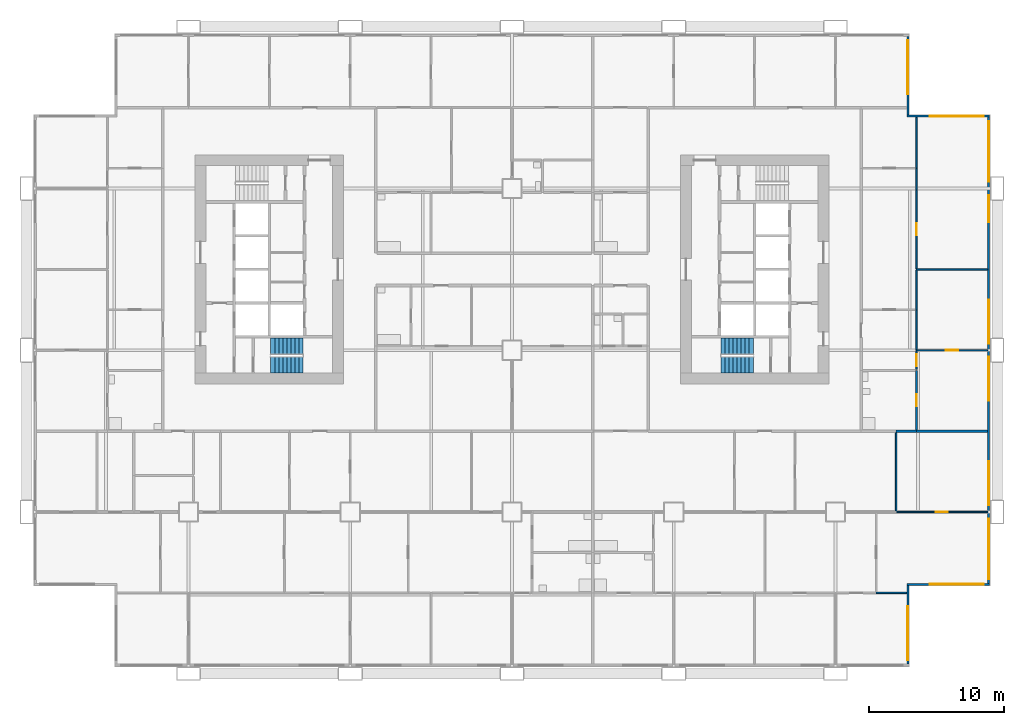
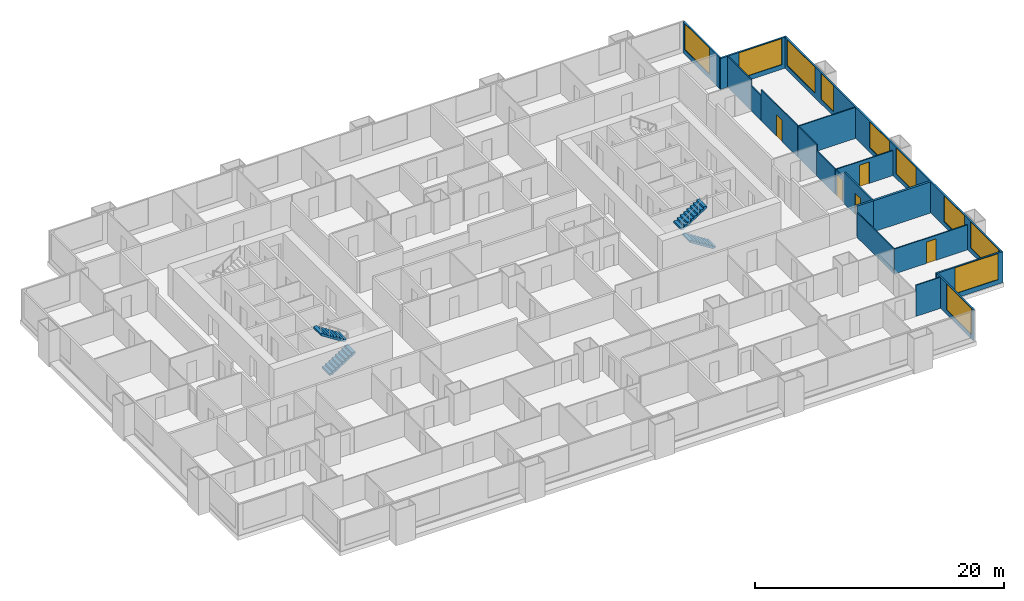
# One storey, part 10 of 13: 19 walls, 10 windows, 5 doors, 4 stair flights, 15 openings, 2 elements without a shape of their own.
"""IFC4 building model written with IfcOpenShell, lengths in metres."""

from ifc_helpers import new_model, si_unit, direction, frame, frame_2d, origin, place, context, subcontext, project, spatial, polyline, rectangle, outline, extrude, material, layer, layer_set, type_object, element, fill, aggregate, save


model = new_model("IFC4")

# Units and contexts
model_context = context("Model", 3, precision=1e-05, world=origin(), true_north=direction((0.0, 1.0)))
body_context = subcontext(model_context, "Body", "Model", "MODEL_VIEW")
ifc_project = project(units=[si_unit("LENGTHUNIT", "METRE"), si_unit("AREAUNIT", "SQUARE_METRE"), si_unit("VOLUMEUNIT", "CUBIC_METRE"), si_unit("PLANEANGLEUNIT", "RADIAN"), si_unit("MASSUNIT", "GRAM", prefix="KILO")], contexts=[model_context])

# Site, building, storey
site_placement = place(None, origin())
site = spatial("IfcSite", under=ifc_project, at=site_placement, CompositionType="ELEMENT")
building_placement = place(site_placement, origin())
building = spatial("IfcBuilding", under=site, at=building_placement, Name="Kitamizu Gate Tower and Museum", CompositionType="ELEMENT")
storey_placement = place(building_placement, frame((0.0, 0.0, 57.60009765625)))
storey = spatial("IfcBuildingStorey", under=building, at=storey_placement, Name="L13", CompositionType="ELEMENT", Elevation=57.60009765625)

# Wall
ifc_material_1 = material(Name="Gypsum board on galvanised stud")
ifc_layer_1 = layer(ifc_material_1, 0.10009765625)
ifc_layer_set_1 = layer_set([ifc_layer_1], Name="Gypsum board on galvanised stud")
wall_type_1 = type_object("IfcWallType", Name="Partition 100 NOT RATED", PredefinedType="PARTITIONING", material=ifc_layer_set_1)
wall_1_placement = place(storey_placement, frame((65.280029296875, 6.0, 0.0), z_axis=(0.0, 0.0, 1.0), x_axis=(-1.0, 0.0, 0.0)))
element("IfcWall", 1, at=wall_1_placement, inside=storey, type_object=wall_type_1, Name="Partition L13-085", PredefinedType="PARTITIONING", context=body_context, shape_type="SweptSolid", body=[
    extrude(rectangle(XDim=2.260009765625, YDim=0.10009765625, at=frame_2d((1.1298828125, 0.0))), origin(), (0.0, 0.0, 1.0), 3.0498046875),
])

# Wall, opening, door
wall_2_placement = place(storey_placement, frame((71.280029296875, 12.0, 0.0), z_axis=(0.0, 0.0, 1.0), x_axis=(-1.0, 0.0, 0.0)))
wall_2 = element("IfcWall", 2, at=wall_2_placement, inside=storey, type_object=wall_type_1, Name="Partition L13-099", PredefinedType="PARTITIONING", context=body_context, shape_type="SweptSolid", body=[
    extrude(rectangle(XDim=6.780029296875, YDim=0.10009765625, at=frame_2d((3.39013671875, 0.0))), origin(), (0.0, 0.0, 1.0), 2.449951171875),
])
opening_1_placement = place(wall_2_placement, frame((2.93994140625, 0.0, 0.0)))
opening_1 = element("IfcOpeningElement", 3, at=opening_1_placement, cuts=wall_2, Name="Opening L13-038", PredefinedType="OPENING", context=body_context, shape_type="SweptSolid", body=[
    extrude(rectangle(XDim=0.89990234375, YDim=2.10009765625, at=frame_2d((0.449951171875, 1.050048828125))), frame((0.0, 0.06005859375, 0.0), z_axis=(0.0, -1.0, 0.0), x_axis=(1.0, 0.0, 0.0)), (0.0, 0.0, 1.0), 0.1201171875),
])
ifc_material_2 = material(Name="Timber door set", Category="wood")
door_type_1 = type_object("IfcDoorType", Name="Room door 900", OperationType="NOTDEFINED", PredefinedType="DOOR", material=ifc_material_2)
door_1_placement = place(opening_1_placement, frame((0.89990234375, 0.0, 0.0), x_axis=(-1.0, 0.0, 0.0)))
door_1 = element("IfcDoor", 4, at=door_1_placement, inside=storey, type_object=door_type_1, Name="Door L13-038", OperationType="SINGLE_SWING_RIGHT", OverallHeight=2.10009765625, OverallWidth=0.89990234375, PredefinedType="DOOR", context=body_context, shape_type="SweptSolid", body=[
    extrude(rectangle(XDim=0.89990234375, YDim=2.10009765625, at=frame_2d((0.449951171875, 1.050048828125))), frame((0.0, 0.02490234375, 0.0), z_axis=(0.0, -1.0, 0.0), x_axis=(1.0, 0.0, 0.0)), (0.0, 0.0, 1.0), 0.050048828125),
])
fill(opening_1, door_1)

# Wall
wall_3_placement = place(storey_placement, frame((64.5, 12.050048828125, 0.0), z_axis=(0.0, 0.0, 1.0), x_axis=(0.0, 1.0, 0.0)))
element("IfcWall", 5, at=wall_3_placement, inside=storey, type_object=wall_type_1, Name="Partition L13-105", PredefinedType="PARTITIONING", context=body_context, shape_type="SweptSolid", body=[
    extrude(rectangle(XDim=5.849853515625, YDim=0.10009765625, at=frame_2d((2.9248046875, 0.0))), origin(), (0.0, 0.0, 1.0), 2.449951171875),
])

# Wall, opening, door
wall_4_placement = place(storey_placement, frame((71.280029296875, 24.0, 0.0), z_axis=(0.0, 0.0, 1.0), x_axis=(-1.0, 0.0, 0.0)))
wall_4 = element("IfcWall", 6, at=wall_4_placement, inside=storey, type_object=wall_type_1, Name="Partition L13-189", PredefinedType="PARTITIONING", context=body_context, shape_type="SweptSolid", body=[
    extrude(rectangle(XDim=5.280029296875, YDim=0.10009765625, at=frame_2d((2.64013671875, 0.0))), origin(), (0.0, 0.0, 1.0), 2.449951171875),
])
opening_2_placement = place(wall_4_placement, frame((2.18994140625, 0.0, 0.0)))
opening_2 = element("IfcOpeningElement", 7, at=opening_2_placement, cuts=wall_4, Name="Opening L13-074", PredefinedType="OPENING", context=body_context, shape_type="SweptSolid", body=[
    extrude(rectangle(XDim=0.89990234375, YDim=2.10009765625, at=frame_2d((0.449951171875, 1.050048828125))), frame((0.0, 0.06005859375, 0.0), z_axis=(0.0, -1.0, 0.0), x_axis=(1.0, 0.0, 0.0)), (0.0, 0.0, 1.0), 0.1201171875),
])
door_2_placement = place(opening_2_placement, origin())
door_2 = element("IfcDoor", 8, at=door_2_placement, inside=storey, type_object=door_type_1, Name="Door L13-074", OperationType="SINGLE_SWING_RIGHT", OverallHeight=2.10009765625, OverallWidth=0.89990234375, PredefinedType="DOOR", context=body_context, shape_type="SweptSolid", body=[
    extrude(rectangle(XDim=0.89990234375, YDim=2.10009765625, at=frame_2d((0.449951171875, 1.050048828125))), frame((0.0, 0.02490234375, 0.0), z_axis=(0.0, -1.0, 0.0), x_axis=(1.0, 0.0, 0.0)), (0.0, 0.0, 1.0), 0.050048828125),
])
fill(opening_2, door_2)

wall_5_placement = place(storey_placement, frame((66.0, 23.949951171875, 0.0), z_axis=(0.0, 0.0, 1.0), x_axis=(0.0, -1.0, 0.0)))
wall_5 = element("IfcWall", 9, at=wall_5_placement, inside=storey, type_object=wall_type_1, Name="Partition L13-191", PredefinedType="PARTITIONING", context=body_context, shape_type="SweptSolid", body=[
    extrude(rectangle(XDim=1.375, YDim=0.10009765625, at=frame_2d((0.6875, 0.0))), origin(), (0.0, 0.0, 1.0), 2.449951171875),
])
opening_3_placement = place(wall_5_placement, frame((0.237548828125, 0.0, 0.0)))
opening_3 = element("IfcOpeningElement", 10, at=opening_3_placement, cuts=wall_5, Name="Opening L13-070", PredefinedType="OPENING", context=body_context, shape_type="SweptSolid", body=[
    extrude(rectangle(XDim=0.89990234375, YDim=2.10009765625, at=frame_2d((0.449951171875, 1.050048828125))), frame((0.0, 0.06005859375, 0.0), z_axis=(0.0, -1.0, 0.0), x_axis=(1.0, 0.0, 0.0)), (0.0, 0.0, 1.0), 0.1201171875),
])
door_3_placement = place(opening_3_placement, origin())
door_3 = element("IfcDoor", 11, at=door_3_placement, inside=storey, type_object=door_type_1, Name="Door L13-070", OperationType="SINGLE_SWING_RIGHT", OverallHeight=2.10009765625, OverallWidth=0.89990234375, PredefinedType="DOOR", context=body_context, shape_type="SweptSolid", body=[
    extrude(rectangle(XDim=0.89990234375, YDim=2.10009765625, at=frame_2d((0.449951171875, 1.050048828125))), frame((0.0, 0.02490234375, 0.0), z_axis=(0.0, -1.0, 0.0), x_axis=(1.0, 0.0, 0.0)), (0.0, 0.0, 1.0), 0.050048828125),
])
fill(opening_3, door_3)

# Walls
wall_6_placement = place(storey_placement, frame((71.280029296875, 30.0, 0.0), z_axis=(0.0, 0.0, 1.0), x_axis=(-1.0, 0.0, 0.0)))
element("IfcWall", 12, at=wall_6_placement, inside=storey, type_object=wall_type_1, Name="Partition L13-192", PredefinedType="PARTITIONING", context=body_context, shape_type="SweptSolid", body=[
    extrude(rectangle(XDim=5.280029296875, YDim=0.10009765625, at=frame_2d((2.64013671875, 0.0))), origin(), (0.0, 0.0, 1.0), 3.0498046875),
])
wall_7_placement = place(storey_placement, frame((66.0, 27.0, 0.0), z_axis=(0.0, 0.0, 1.0), x_axis=(0.0, -1.0, 0.0)))
element("IfcWall", 13, at=wall_7_placement, inside=storey, type_object=wall_type_1, Name="Partition L13-193", PredefinedType="PARTITIONING", context=body_context, shape_type="SweptSolid", body=[
    extrude(rectangle(XDim=2.949951171875, YDim=0.10009765625, at=frame_2d((1.47509765625, 0.0))), origin(), (0.0, 0.0, 1.0), 2.449951171875),
])
wall_8_placement = place(storey_placement, frame((66.0, 29.949951171875, 0.0), z_axis=(0.0, 0.0, 1.0), x_axis=(0.0, -1.0, 0.0)))
element("IfcWall", 14, at=wall_8_placement, inside=storey, type_object=wall_type_1, Name="Partition L13-194", PredefinedType="PARTITIONING", context=body_context, shape_type="SweptSolid", body=[
    extrude(rectangle(XDim=2.949951171875, YDim=0.10009765625, at=frame_2d((1.47509765625, 0.0))), origin(), (0.0, 0.0, 1.0), 3.0498046875),
])
wall_9_placement = place(storey_placement, frame((66.0, 37.5, 0.0), z_axis=(0.0, 0.0, 1.0), x_axis=(0.0, -1.0, 0.0)))
element("IfcWall", 15, at=wall_9_placement, inside=storey, type_object=wall_type_1, Name="Partition L13-195", PredefinedType="PARTITIONING", context=body_context, shape_type="SweptSolid", body=[
    extrude(rectangle(XDim=1.60009765625, YDim=0.10009765625, at=frame_2d((0.800048828125, 0.0))), origin(), (0.0, 0.0, 1.0), 2.449951171875),
])

# Wall, opening, door
wall_10_placement = place(storey_placement, frame((66.0, 35.89990234375, 0.0), z_axis=(0.0, 0.0, 1.0), x_axis=(0.0, -1.0, 0.0)))
wall_10 = element("IfcWall", 16, at=wall_10_placement, inside=storey, type_object=wall_type_1, Name="Partition L13-196", PredefinedType="PARTITIONING", context=body_context, shape_type="SweptSolid", body=[
    extrude(rectangle(XDim=5.849853515625, YDim=0.10009765625, at=frame_2d((2.9248046875, 0.0))), origin(), (0.0, 0.0, 1.0), 3.0498046875),
])
opening_4_placement = place(wall_10_placement, frame((2.47509765625, 0.0, 0.0)))
opening_4 = element("IfcOpeningElement", 17, at=opening_4_placement, cuts=wall_10, Name="Opening L13-072", PredefinedType="OPENING", context=body_context, shape_type="SweptSolid", body=[
    extrude(rectangle(XDim=0.89990234375, YDim=2.10009765625, at=frame_2d((0.449951171875, 1.050048828125))), frame((0.0, 0.06005859375, 0.0), z_axis=(0.0, -1.0, 0.0), x_axis=(1.0, 0.0, 0.0)), (0.0, 0.0, 1.0), 0.1201171875),
])
door_4_placement = place(opening_4_placement, origin())
door_4 = element("IfcDoor", 18, at=door_4_placement, inside=storey, type_object=door_type_1, Name="Door L13-072", OperationType="SINGLE_SWING_RIGHT", OverallHeight=2.10009765625, OverallWidth=0.89990234375, PredefinedType="DOOR", context=body_context, shape_type="SweptSolid", body=[
    extrude(rectangle(XDim=0.89990234375, YDim=2.10009765625, at=frame_2d((0.449951171875, 1.050048828125))), frame((0.0, 0.02490234375, 0.0), z_axis=(0.0, -1.0, 0.0), x_axis=(1.0, 0.0, 0.0)), (0.0, 0.0, 1.0), 0.050048828125),
])
fill(opening_4, door_4)

# Wall
wall_11_placement = place(storey_placement, frame((66.0, 41.280029296875, 0.0), z_axis=(0.0, 0.0, 1.0), x_axis=(0.0, -1.0, 0.0)))
element("IfcWall", 19, at=wall_11_placement, inside=storey, type_object=wall_type_1, Name="Partition L13-197", PredefinedType="PARTITIONING", context=body_context, shape_type="SweptSolid", body=[
    extrude(rectangle(XDim=3.780029296875, YDim=0.10009765625, at=frame_2d((1.89013671875, 0.0))), origin(), (0.0, 0.0, 1.0), 3.0498046875),
])

# Wall, opening, door
ifc_material_3 = material(Name="Gypsum board on galvanised stud")
ifc_layer_2 = layer(ifc_material_3, 0.14990234375)
ifc_layer_set_2 = layer_set([ifc_layer_2], Name="Gypsum board on galvanised stud")
wall_type_2 = type_object("IfcWallType", Name="Partition 150", PredefinedType="PARTITIONING", material=ifc_layer_set_2)
wall_12_placement = place(storey_placement, frame((66.0, 22.5, 0.0), z_axis=(0.0, 0.0, 1.0), x_axis=(0.0, -1.0, 0.0)))
wall_12 = element("IfcWall", 20, at=wall_12_placement, inside=storey, type_object=wall_type_2, Name="Partition L13-190", PredefinedType="PARTITIONING", context=body_context, shape_type="SweptSolid", body=[
    extrude(rectangle(XDim=4.39990234375, YDim=0.14990234375, at=frame_2d((2.199951171875, 0.0))), origin(), (0.0, 0.0, 1.0), 3.0498046875),
])
opening_5_placement = place(wall_12_placement, frame((1.75, 0.0, 0.0)))
opening_5 = element("IfcOpeningElement", 21, at=opening_5_placement, cuts=wall_12, Name="Opening L13-073", PredefinedType="OPENING", context=body_context, shape_type="SweptSolid", body=[
    extrude(rectangle(XDim=0.89990234375, YDim=2.10009765625, at=frame_2d((0.449951171875, 1.050048828125))), frame((0.0, 0.0849609375, 0.0), z_axis=(0.0, -1.0, 0.0), x_axis=(1.0, 0.0, 0.0)), (0.0, 0.0, 1.0), 0.169921875),
])
ifc_material_4 = material(Name="Timber door set", Category="wood")
door_type_2 = type_object("IfcDoorType", Name="Bathroom door 900", OperationType="NOTDEFINED", PredefinedType="DOOR", material=ifc_material_4)
door_5_placement = place(opening_5_placement, frame((0.89990234375, 0.0, 0.0), x_axis=(-1.0, 0.0, 0.0)))
door_5 = element("IfcDoor", 22, at=door_5_placement, inside=storey, type_object=door_type_2, Name="Bathroom door L13-073", OperationType="SINGLE_SWING_RIGHT", OverallHeight=2.10009765625, OverallWidth=0.89990234375, PredefinedType="DOOR", context=body_context, shape_type="SweptSolid", body=[
    extrude(rectangle(XDim=0.89990234375, YDim=2.10009765625, at=frame_2d((0.449951171875, 1.050048828125))), frame((0.0, 0.02490234375, 0.0), z_axis=(0.0, -1.0, 0.0), x_axis=(1.0, 0.0, 0.0)), (0.0, 0.0, 1.0), 0.050048828125),
])
fill(opening_5, door_5)

# Walls
ifc_material_5 = material(Name="Gypsum board on galvanised stud")
ifc_layer_3 = layer(ifc_material_5, 0.199951171875)
ifc_layer_set_3 = layer_set([ifc_layer_3], Name="Gypsum board on galvanised stud")
wall_type_3 = type_object("IfcWallType", Name="Partition 200", PredefinedType="PARTITIONING", material=ifc_layer_set_3)
wall_13_placement = place(storey_placement, frame((71.280029296875, 18.0, 0.0), z_axis=(0.0, 0.0, 1.0), x_axis=(-1.0, 0.0, 0.0)))
element("IfcWall", 23, at=wall_13_placement, inside=storey, type_object=wall_type_3, Name="Partition L13-108", PredefinedType="PARTITIONING", context=body_context, shape_type="SweptSolid", body=[
    extrude(rectangle(XDim=5.280029296875, YDim=0.199951171875, at=frame_2d((2.64013671875, 0.0))), origin(), (0.0, 0.0, 1.0), 3.0498046875),
])
wall_14_placement = place(storey_placement, frame((66.0, 18.0, 0.0), z_axis=(0.0, 0.0, 1.0), x_axis=(-1.0, 0.0, 0.0)))
element("IfcWall", 24, at=wall_14_placement, inside=storey, type_object=wall_type_3, Name="Partition L13-109", PredefinedType="PARTITIONING", context=body_context, shape_type="SweptSolid", body=[
    extrude(rectangle(XDim=1.5, YDim=0.199951171875, at=frame_2d((0.75, 0.0))), origin(), (0.0, 0.0, 1.0), 3.0498046875),
])

# Wall, opening, window
ifc_material_6 = material(Name="Bronze anodised aluminium frame with insulated spandrel and tinted glass", Category="aluminium")
ifc_layer_4 = layer(ifc_material_6, 0.14990234375)
ifc_layer_set_4 = layer_set([ifc_layer_4], Name="Bronze anodised aluminium frame with insulated spandrel and tinted glass")
wall_type_4 = type_object("IfcWallType", Name="WINDOW WALL 150 BRONZE FRAME EI 30", PredefinedType="ELEMENTEDWALL", material=ifc_layer_set_4)
wall_15_placement = place(storey_placement, frame((65.364990234375, 0.7099609375, 0.0), z_axis=(0.0, 0.0, 1.0), x_axis=(0.0, 1.0, 0.0)))
wall_15 = element("IfcWall", 25, at=wall_15_placement, inside=storey, type_object=wall_type_4, Name="Window wall east L13", PredefinedType="ELEMENTEDWALL", context=body_context, shape_type="SweptSolid", body=[
    extrude(rectangle(XDim=5.85009765625, YDim=0.14990234375, at=frame_2d((2.925048828125, 0.0))), origin(), (0.0, 0.0, 1.0), 3.0498046875),
])
opening_6_placement = place(wall_15_placement, frame((0.2900390625, 0.0, 0.449951171875)))
opening_6 = element("IfcOpeningElement", 26, at=opening_6_placement, cuts=wall_15, Name="Opening W16", PredefinedType="OPENING", context=body_context, shape_type="SweptSolid", body=[
    extrude(rectangle(XDim=4.0, YDim=2.550048828125, at=frame_2d((2.0, 1.27490234375))), frame((0.0, 0.0849609375, 0.0), z_axis=(0.0, -1.0, 0.0), x_axis=(1.0, 0.0, 0.0)), (0.0, 0.0, 1.0), 0.169921875),
])
ifc_material_7 = material(Name="Bronze anodised aluminium frame, tinted triple glazing", Category="aluminium")
window_type_1 = type_object("IfcWindowType", Name="WINDOW 4000 x 2550 SILL 450", PartitioningType="SINGLE_PANEL", PredefinedType="WINDOW", material=ifc_material_7)
window_1_placement = place(opening_6_placement, origin())
window_1 = element("IfcWindow", 27, at=window_1_placement, inside=storey, type_object=window_type_1, Name="Window W16 L13", OverallHeight=2.550048828125, OverallWidth=4.0, PartitioningType="SINGLE_PANEL", PredefinedType="WINDOW", context=body_context, shape_type="SweptSolid", body=[
    extrude(rectangle(XDim=4.0, YDim=2.550048828125, at=frame_2d((2.0, 1.27490234375))), frame((0.0, 0.030029296875, 0.0), z_axis=(0.0, -1.0, 0.0), x_axis=(1.0, 0.0, 0.0)), (0.0, 0.0, 1.0), 0.06005859375),
])
fill(opening_6, window_1)

wall_16_placement = place(storey_placement, frame((65.2900390625, 6.635009765625, 0.0), z_axis=(0.0, 0.0, 1.0), x_axis=(1.0, 0.0, 0.0)))
wall_16 = element("IfcWall", 28, at=wall_16_placement, inside=storey, type_object=wall_type_4, Name="Window wall south L13", PredefinedType="ELEMENTEDWALL", context=body_context, shape_type="SweptSolid", body=[
    extrude(rectangle(XDim=6.14990234375, YDim=0.14990234375, at=frame_2d((3.074951171875, 0.0))), origin(), (0.0, 0.0, 1.0), 3.0498046875),
])
opening_7_placement = place(wall_16_placement, frame((1.7099609375, 0.0, 0.449951171875)))
opening_7 = element("IfcOpeningElement", 29, at=opening_7_placement, cuts=wall_16, Name="Opening W16", PredefinedType="OPENING", context=body_context, shape_type="SweptSolid", body=[
    extrude(rectangle(XDim=4.0, YDim=2.550048828125, at=frame_2d((2.0, 1.27490234375))), frame((0.0, 0.0849609375, 0.0), z_axis=(0.0, -1.0, 0.0), x_axis=(1.0, 0.0, 0.0)), (0.0, 0.0, 1.0), 0.169921875),
])
window_2_placement = place(opening_7_placement, origin())
window_2 = element("IfcWindow", 30, at=window_2_placement, inside=storey, type_object=window_type_1, Name="Window W16 L13", OverallHeight=2.550048828125, OverallWidth=4.0, PartitioningType="SINGLE_PANEL", PredefinedType="WINDOW", context=body_context, shape_type="SweptSolid", body=[
    extrude(rectangle(XDim=4.0, YDim=2.550048828125, at=frame_2d((2.0, 1.27490234375))), frame((0.0, 0.030029296875, 0.0), z_axis=(0.0, -1.0, 0.0), x_axis=(1.0, 0.0, 0.0)), (0.0, 0.0, 1.0), 0.06005859375),
])
fill(opening_7, window_2)

# Wall, openings, windows
wall_17_placement = place(storey_placement, frame((71.364990234375, 6.7099609375, 0.0), z_axis=(0.0, 0.0, 1.0), x_axis=(0.0, 1.0, 0.0)))
wall_17 = element("IfcWall", 31, at=wall_17_placement, inside=storey, type_object=wall_type_4, Name="Window wall east L13", PredefinedType="ELEMENTEDWALL", context=body_context, shape_type="SweptSolid", body=[
    extrude(rectangle(XDim=34.580078125, YDim=0.14990234375, at=frame_2d((17.2900390625, 0.0))), origin(), (0.0, 0.0, 1.0), 3.0498046875),
])
opening_8_placement = place(wall_17_placement, frame((0.2900390625, 0.0, 0.449951171875)))
opening_8 = element("IfcOpeningElement", 32, at=opening_8_placement, cuts=wall_17, Name="Opening W15", PredefinedType="OPENING", context=body_context, shape_type="SweptSolid", body=[
    extrude(rectangle(XDim=4.5, YDim=2.550048828125, at=frame_2d((2.25, 1.27490234375))), frame((0.0, 0.0849609375, 0.0), z_axis=(0.0, -1.0, 0.0), x_axis=(1.0, 0.0, 0.0)), (0.0, 0.0, 1.0), 0.169921875),
])
opening_9_placement = place(wall_17_placement, frame((5.7900390625, 0.0, 0.449951171875)))
opening_9 = element("IfcOpeningElement", 33, at=opening_9_placement, cuts=wall_17, Name="Opening W34", PredefinedType="OPENING", context=body_context, shape_type="SweptSolid", body=[
    extrude(rectangle(XDim=3.25, YDim=2.550048828125, at=frame_2d((1.625, 1.27490234375))), frame((0.0, 0.0849609375, 0.0), z_axis=(0.0, -1.0, 0.0), x_axis=(1.0, 0.0, 0.0)), (0.0, 0.0, 1.0), 0.169921875),
])
opening_10_placement = place(wall_17_placement, frame((13.5400390625, 0.0, 0.449951171875)))
opening_10 = element("IfcOpeningElement", 34, at=opening_10_placement, cuts=wall_17, Name="Opening W34", PredefinedType="OPENING", context=body_context, shape_type="SweptSolid", body=[
    extrude(rectangle(XDim=3.25, YDim=2.550048828125, at=frame_2d((1.625, 1.27490234375))), frame((0.0, 0.0849609375, 0.0), z_axis=(0.0, -1.0, 0.0), x_axis=(1.0, 0.0, 0.0)), (0.0, 0.0, 1.0), 0.169921875),
])
opening_11_placement = place(wall_17_placement, frame((17.7900390625, 0.0, 0.449951171875)))
opening_11 = element("IfcOpeningElement", 35, at=opening_11_placement, cuts=wall_17, Name="Opening W34", PredefinedType="OPENING", context=body_context, shape_type="SweptSolid", body=[
    extrude(rectangle(XDim=3.25, YDim=2.550048828125, at=frame_2d((1.625, 1.27490234375))), frame((0.0, 0.0849609375, 0.0), z_axis=(0.0, -1.0, 0.0), x_axis=(1.0, 0.0, 0.0)), (0.0, 0.0, 1.0), 0.169921875),
])
opening_12_placement = place(wall_17_placement, frame((26.7900390625, 0.0, 0.449951171875)))
opening_12 = element("IfcOpeningElement", 36, at=opening_12_placement, cuts=wall_17, Name="Opening W2", PredefinedType="OPENING", context=body_context, shape_type="SweptSolid", body=[
    extrude(rectangle(XDim=2.0, YDim=2.550048828125, at=frame_2d((1.0, 1.27490234375))), frame((0.0, 0.0849609375, 0.0), z_axis=(0.0, -1.0, 0.0), x_axis=(1.0, 0.0, 0.0)), (0.0, 0.0, 1.0), 0.169921875),
])
opening_13_placement = place(wall_17_placement, frame((29.7900390625, 0.0, 0.449951171875)))
opening_13 = element("IfcOpeningElement", 37, at=opening_13_placement, cuts=wall_17, Name="Opening W15", PredefinedType="OPENING", context=body_context, shape_type="SweptSolid", body=[
    extrude(rectangle(XDim=4.5, YDim=2.550048828125, at=frame_2d((2.25, 1.27490234375))), frame((0.0, 0.0849609375, 0.0), z_axis=(0.0, -1.0, 0.0), x_axis=(1.0, 0.0, 0.0)), (0.0, 0.0, 1.0), 0.169921875),
])
ifc_material_8 = material(Name="Bronze anodised aluminium frame, tinted triple glazing", Category="aluminium")
window_type_2 = type_object("IfcWindowType", Name="WINDOW 2000 x 2550 SILL 450", PartitioningType="SINGLE_PANEL", PredefinedType="WINDOW", material=ifc_material_8)
window_3_placement = place(opening_12_placement, origin())
window_3 = element("IfcWindow", 38, at=window_3_placement, inside=storey, type_object=window_type_2, Name="Window W2 L13", OverallHeight=2.550048828125, OverallWidth=2.0, PartitioningType="SINGLE_PANEL", PredefinedType="WINDOW", context=body_context, shape_type="SweptSolid", body=[
    extrude(rectangle(XDim=2.0, YDim=2.550048828125, at=frame_2d((1.0, 1.27490234375))), frame((0.0, 0.030029296875, 0.0), z_axis=(0.0, -1.0, 0.0), x_axis=(1.0, 0.0, 0.0)), (0.0, 0.0, 1.0), 0.06005859375),
])
fill(opening_12, window_3)
ifc_material_9 = material(Name="Bronze anodised aluminium frame, tinted triple glazing", Category="aluminium")
window_type_3 = type_object("IfcWindowType", Name="WINDOW 3250 x 2550 SILL 450", PartitioningType="SINGLE_PANEL", PredefinedType="WINDOW", material=ifc_material_9)
window_4_placement = place(opening_9_placement, origin())
window_4 = element("IfcWindow", 39, at=window_4_placement, inside=storey, type_object=window_type_3, Name="Window W34 L13", OverallHeight=2.550048828125, OverallWidth=3.25, PartitioningType="SINGLE_PANEL", PredefinedType="WINDOW", context=body_context, shape_type="SweptSolid", body=[
    extrude(rectangle(XDim=3.25, YDim=2.550048828125, at=frame_2d((1.625, 1.27490234375))), frame((0.0, 0.030029296875, 0.0), z_axis=(0.0, -1.0, 0.0), x_axis=(1.0, 0.0, 0.0)), (0.0, 0.0, 1.0), 0.06005859375),
])
fill(opening_9, window_4)
window_5_placement = place(opening_10_placement, origin())
window_5 = element("IfcWindow", 40, at=window_5_placement, inside=storey, type_object=window_type_3, Name="Window W34 L13", OverallHeight=2.550048828125, OverallWidth=3.25, PartitioningType="SINGLE_PANEL", PredefinedType="WINDOW", context=body_context, shape_type="SweptSolid", body=[
    extrude(rectangle(XDim=3.25, YDim=2.550048828125, at=frame_2d((1.625, 1.27490234375))), frame((0.0, 0.030029296875, 0.0), z_axis=(0.0, -1.0, 0.0), x_axis=(1.0, 0.0, 0.0)), (0.0, 0.0, 1.0), 0.06005859375),
])
fill(opening_10, window_5)
window_6_placement = place(opening_11_placement, origin())
window_6 = element("IfcWindow", 41, at=window_6_placement, inside=storey, type_object=window_type_3, Name="Window W34 L13", OverallHeight=2.550048828125, OverallWidth=3.25, PartitioningType="SINGLE_PANEL", PredefinedType="WINDOW", context=body_context, shape_type="SweptSolid", body=[
    extrude(rectangle(XDim=3.25, YDim=2.550048828125, at=frame_2d((1.625, 1.27490234375))), frame((0.0, 0.030029296875, 0.0), z_axis=(0.0, -1.0, 0.0), x_axis=(1.0, 0.0, 0.0)), (0.0, 0.0, 1.0), 0.06005859375),
])
fill(opening_11, window_6)
ifc_material_10 = material(Name="Bronze anodised aluminium frame, tinted triple glazing", Category="aluminium")
window_type_4 = type_object("IfcWindowType", Name="WINDOW 4500 x 2550 SILL 450", PartitioningType="SINGLE_PANEL", PredefinedType="WINDOW", material=ifc_material_10)
window_7_placement = place(opening_8_placement, origin())
window_7 = element("IfcWindow", 42, at=window_7_placement, inside=storey, type_object=window_type_4, Name="Window W15 L13", OverallHeight=2.550048828125, OverallWidth=4.5, PartitioningType="SINGLE_PANEL", PredefinedType="WINDOW", context=body_context, shape_type="SweptSolid", body=[
    extrude(rectangle(XDim=4.5, YDim=2.550048828125, at=frame_2d((2.25, 1.27490234375))), frame((0.0, 0.030029296875, 0.0), z_axis=(0.0, -1.0, 0.0), x_axis=(1.0, 0.0, 0.0)), (0.0, 0.0, 1.0), 0.06005859375),
])
fill(opening_8, window_7)
window_8_placement = place(opening_13_placement, origin())
window_8 = element("IfcWindow", 43, at=window_8_placement, inside=storey, type_object=window_type_4, Name="Window W15 L13", OverallHeight=2.550048828125, OverallWidth=4.5, PartitioningType="SINGLE_PANEL", PredefinedType="WINDOW", context=body_context, shape_type="SweptSolid", body=[
    extrude(rectangle(XDim=4.5, YDim=2.550048828125, at=frame_2d((2.25, 1.27490234375))), frame((0.0, 0.030029296875, 0.0), z_axis=(0.0, -1.0, 0.0), x_axis=(1.0, 0.0, 0.0)), (0.0, 0.0, 1.0), 0.06005859375),
])
fill(opening_13, window_8)

# Wall, opening, window
wall_18_placement = place(storey_placement, frame((65.2900390625, 41.364990234375, 0.0), z_axis=(0.0, 0.0, 1.0), x_axis=(1.0, 0.0, 0.0)))
wall_18 = element("IfcWall", 44, at=wall_18_placement, inside=storey, type_object=wall_type_4, Name="Window wall north L13", PredefinedType="ELEMENTEDWALL", context=body_context, shape_type="SweptSolid", body=[
    extrude(rectangle(XDim=6.14990234375, YDim=0.14990234375, at=frame_2d((3.074951171875, 0.0))), origin(), (0.0, 0.0, 1.0), 3.0498046875),
])
opening_14_placement = place(wall_18_placement, frame((1.7099609375, 0.0, 0.449951171875)))
opening_14 = element("IfcOpeningElement", 45, at=opening_14_placement, cuts=wall_18, Name="Opening W16", PredefinedType="OPENING", context=body_context, shape_type="SweptSolid", body=[
    extrude(rectangle(XDim=4.0, YDim=2.550048828125, at=frame_2d((2.0, 1.27490234375))), frame((0.0, 0.0849609375, 0.0), z_axis=(0.0, -1.0, 0.0), x_axis=(1.0, 0.0, 0.0)), (0.0, 0.0, 1.0), 0.169921875),
])
window_9_placement = place(opening_14_placement, origin())
window_9 = element("IfcWindow", 46, at=window_9_placement, inside=storey, type_object=window_type_1, Name="Window W16 L13", OverallHeight=2.550048828125, OverallWidth=4.0, PartitioningType="SINGLE_PANEL", PredefinedType="WINDOW", context=body_context, shape_type="SweptSolid", body=[
    extrude(rectangle(XDim=4.0, YDim=2.550048828125, at=frame_2d((2.0, 1.27490234375))), frame((0.0, 0.030029296875, 0.0), z_axis=(0.0, -1.0, 0.0), x_axis=(1.0, 0.0, 0.0)), (0.0, 0.0, 1.0), 0.06005859375),
])
fill(opening_14, window_9)

wall_19_placement = place(storey_placement, frame((65.364990234375, 41.43994140625, 0.0), z_axis=(0.0, 0.0, 1.0), x_axis=(0.0, 1.0, 0.0)))
wall_19 = element("IfcWall", 47, at=wall_19_placement, inside=storey, type_object=wall_type_4, Name="Window wall east L13", PredefinedType="ELEMENTEDWALL", context=body_context, shape_type="SweptSolid", body=[
    extrude(rectangle(XDim=5.85009765625, YDim=0.14990234375, at=frame_2d((2.925048828125, 0.0))), origin(), (0.0, 0.0, 1.0), 3.0498046875),
])
opening_15_placement = place(wall_19_placement, frame((1.56005859375, 0.0, 0.449951171875)))
opening_15 = element("IfcOpeningElement", 48, at=opening_15_placement, cuts=wall_19, Name="Opening W16", PredefinedType="OPENING", context=body_context, shape_type="SweptSolid", body=[
    extrude(rectangle(XDim=4.0, YDim=2.550048828125, at=frame_2d((2.0, 1.27490234375))), frame((0.0, 0.0849609375, 0.0), z_axis=(0.0, -1.0, 0.0), x_axis=(1.0, 0.0, 0.0)), (0.0, 0.0, 1.0), 0.169921875),
])
window_10_placement = place(opening_15_placement, origin())
window_10 = element("IfcWindow", 49, at=window_10_placement, inside=storey, type_object=window_type_1, Name="Window W16 L13", OverallHeight=2.550048828125, OverallWidth=4.0, PartitioningType="SINGLE_PANEL", PredefinedType="WINDOW", context=body_context, shape_type="SweptSolid", body=[
    extrude(rectangle(XDim=4.0, YDim=2.550048828125, at=frame_2d((2.0, 1.27490234375))), frame((0.0, 0.030029296875, 0.0), z_axis=(0.0, -1.0, 0.0), x_axis=(1.0, 0.0, 0.0)), (0.0, 0.0, 1.0), 0.06005859375),
])
fill(opening_15, window_10)

# Stair, stair flights
ifc_material_11 = material(Name="Concrete Fc42", Category="concrete")
stair_type = type_object("IfcStairType", Name="Exit stair 1200 wide 192 rise 300 going", PredefinedType="HALF_TURN_STAIR", material=ifc_material_11)
stair_1_placement = place(storey_placement, origin())
stair_1 = element("IfcStair", 50, at=stair_1_placement, inside=storey, type_object=stair_type, Name="Exit stair ST1", PredefinedType="HALF_TURN_STAIR")
ifc_material_12 = material(Name="Concrete Fc42", Category="concrete")
stair_flight_type = type_object("IfcStairFlightType", Name="Stair flight 1200 wide 192 rise 300 going", PredefinedType="STRAIGHT", material=ifc_material_12)
stair_flight_1_placement = place(storey_placement, frame((18.10009765625, 22.89990234375, 0.0), z_axis=(0.0, 0.0, 1.0), x_axis=(1.0, 0.0, 0.0)))
stair_flight_1 = element("IfcStairFlight", 51, at=stair_flight_1_placement, type_object=stair_flight_type, Name="ST1 flight 1", NumberOfRisers=9, NumberOfTreads=8, PredefinedType="STRAIGHT", RiserHeight=0.191666667, TreadLength=0.3, context=body_context, shape_type="SweptSolid", body=[
    extrude(outline(polyline([(0.0, 0.0), (0.0, 0.191650390625), (0.300048828125, 0.191650390625), (0.300048828125, 0.38330078125), (0.60009765625, 0.38330078125), (0.60009765625, 0.574951171875), (0.89990234375, 0.574951171875), (0.89990234375, 0.7666015625), (1.199951171875, 0.7666015625), (1.199951171875, 0.958251953125), (1.5, 0.958251953125), (1.5, 1.14990234375), (1.800048828125, 1.14990234375), (1.800048828125, 1.341552734375), (2.10009765625, 1.341552734375), (2.10009765625, 1.533447265625), (2.39990234375, 1.533447265625), (2.39990234375, 1.72509765625), (2.39990234375, 1.35546875), (0.2783203125, 0.0), (0.0, 0.0)])), frame((0.0, 0.60009765625, 0.0), z_axis=(0.0, -1.0, 0.0), x_axis=(1.0, 0.0, 0.0)), (0.0, 0.0, 1.0), 1.199951171875),
])
stair_flight_2_placement = place(storey_placement, frame((20.5, 24.300048828125, 1.724853515625), z_axis=(0.0, 0.0, 1.0), x_axis=(-1.0, 0.0, 0.0)))
stair_flight_2 = element("IfcStairFlight", 52, at=stair_flight_2_placement, type_object=stair_flight_type, Name="ST1 flight 2", NumberOfRisers=9, NumberOfTreads=8, PredefinedType="STRAIGHT", RiserHeight=0.191666667, TreadLength=0.3, context=body_context, shape_type="SweptSolid", body=[
    extrude(outline(polyline([(0.0, 0.0), (0.0, 0.191650390625), (0.300048828125, 0.191650390625), (0.300048828125, 0.38330078125), (0.60009765625, 0.38330078125), (0.60009765625, 0.574951171875), (0.89990234375, 0.574951171875), (0.89990234375, 0.7666015625), (1.199951171875, 0.7666015625), (1.199951171875, 0.958251953125), (1.5, 0.958251953125), (1.5, 1.14990234375), (1.800048828125, 1.14990234375), (1.800048828125, 1.341552734375), (2.10009765625, 1.341552734375), (2.10009765625, 1.533447265625), (2.39990234375, 1.533447265625), (2.39990234375, 1.72509765625), (2.39990234375, 1.35546875), (0.2783203125, 0.0), (0.0, 0.0)])), frame((0.0, 0.60009765625, 0.0), z_axis=(0.0, -1.0, 0.0), x_axis=(1.0, 0.0, 0.0)), (0.0, 0.0, 1.0), 1.199951171875),
])
aggregate(stair_1, [stair_flight_1, stair_flight_2])

stair_2_placement = place(storey_placement, origin())
stair_2 = element("IfcStair", 53, at=stair_2_placement, inside=storey, type_object=stair_type, Name="Exit stair ST3", PredefinedType="HALF_TURN_STAIR")
stair_flight_3_placement = place(storey_placement, frame((53.89990234375, 22.89990234375, 0.0), z_axis=(0.0, 0.0, 1.0), x_axis=(-1.0, 0.0, 0.0)))
stair_flight_3 = element("IfcStairFlight", 54, at=stair_flight_3_placement, type_object=stair_flight_type, Name="ST3 flight 1", NumberOfRisers=9, NumberOfTreads=8, PredefinedType="STRAIGHT", RiserHeight=0.191666667, TreadLength=0.3, context=body_context, shape_type="SweptSolid", body=[
    extrude(outline(polyline([(0.0, 0.0), (0.0, 0.191650390625), (0.300048828125, 0.191650390625), (0.300048828125, 0.38330078125), (0.60009765625, 0.38330078125), (0.60009765625, 0.574951171875), (0.89990234375, 0.574951171875), (0.89990234375, 0.7666015625), (1.199951171875, 0.7666015625), (1.199951171875, 0.958251953125), (1.5, 0.958251953125), (1.5, 1.14990234375), (1.800048828125, 1.14990234375), (1.800048828125, 1.341552734375), (2.10009765625, 1.341552734375), (2.10009765625, 1.533447265625), (2.39990234375, 1.533447265625), (2.39990234375, 1.72509765625), (2.39990234375, 1.35546875), (0.2783203125, 0.0), (0.0, 0.0)])), frame((0.0, 0.60009765625, 0.0), z_axis=(0.0, -1.0, 0.0), x_axis=(1.0, 0.0, 0.0)), (0.0, 0.0, 1.0), 1.199951171875),
])
stair_flight_4_placement = place(storey_placement, frame((51.5, 24.300048828125, 1.724853515625), z_axis=(0.0, 0.0, 1.0), x_axis=(1.0, 0.0, 0.0)))
stair_flight_4 = element("IfcStairFlight", 55, at=stair_flight_4_placement, type_object=stair_flight_type, Name="ST3 flight 2", NumberOfRisers=9, NumberOfTreads=8, PredefinedType="STRAIGHT", RiserHeight=0.191666667, TreadLength=0.3, context=body_context, shape_type="SweptSolid", body=[
    extrude(outline(polyline([(0.0, 0.0), (0.0, 0.191650390625), (0.300048828125, 0.191650390625), (0.300048828125, 0.38330078125), (0.60009765625, 0.38330078125), (0.60009765625, 0.574951171875), (0.89990234375, 0.574951171875), (0.89990234375, 0.7666015625), (1.199951171875, 0.7666015625), (1.199951171875, 0.958251953125), (1.5, 0.958251953125), (1.5, 1.14990234375), (1.800048828125, 1.14990234375), (1.800048828125, 1.341552734375), (2.10009765625, 1.341552734375), (2.10009765625, 1.533447265625), (2.39990234375, 1.533447265625), (2.39990234375, 1.72509765625), (2.39990234375, 1.35546875), (0.2783203125, 0.0), (0.0, 0.0)])), frame((0.0, 0.60009765625, 0.0), z_axis=(0.0, -1.0, 0.0), x_axis=(1.0, 0.0, 0.0)), (0.0, 0.0, 1.0), 1.199951171875),
])
aggregate(stair_2, [stair_flight_3, stair_flight_4])

save(model, "model.ifc")
